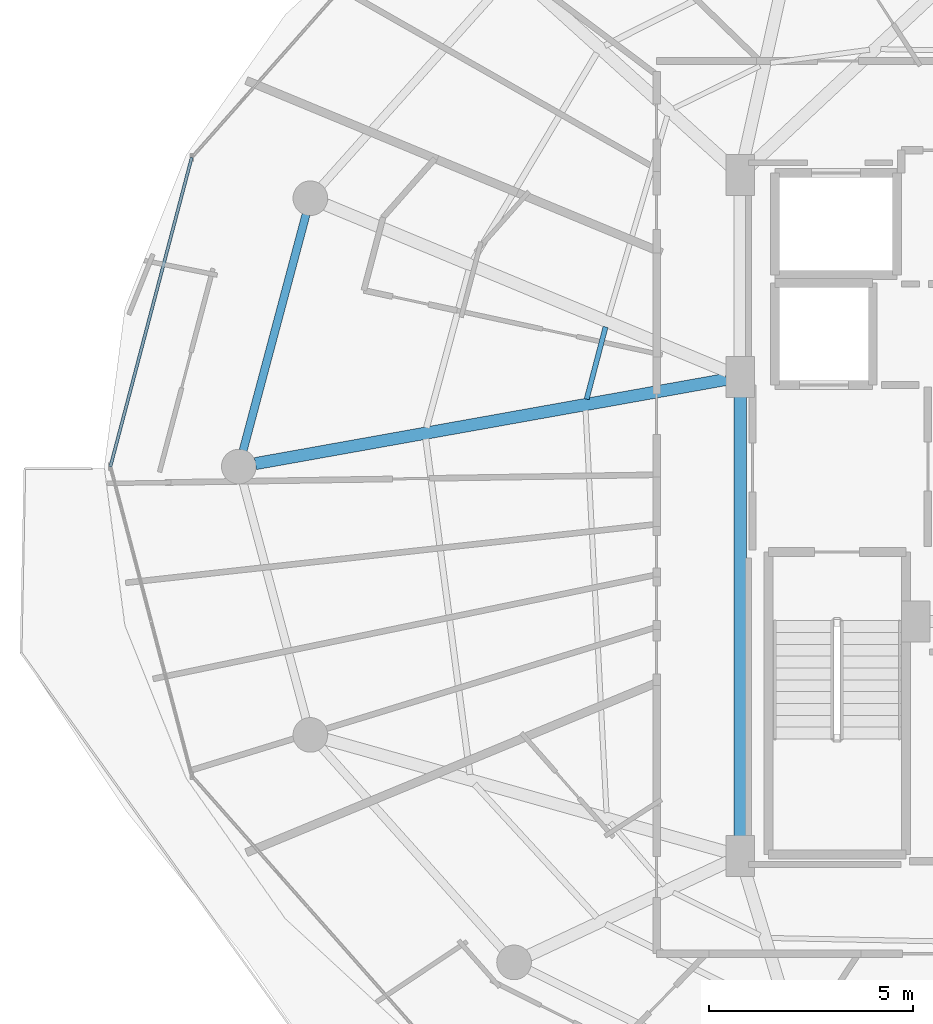
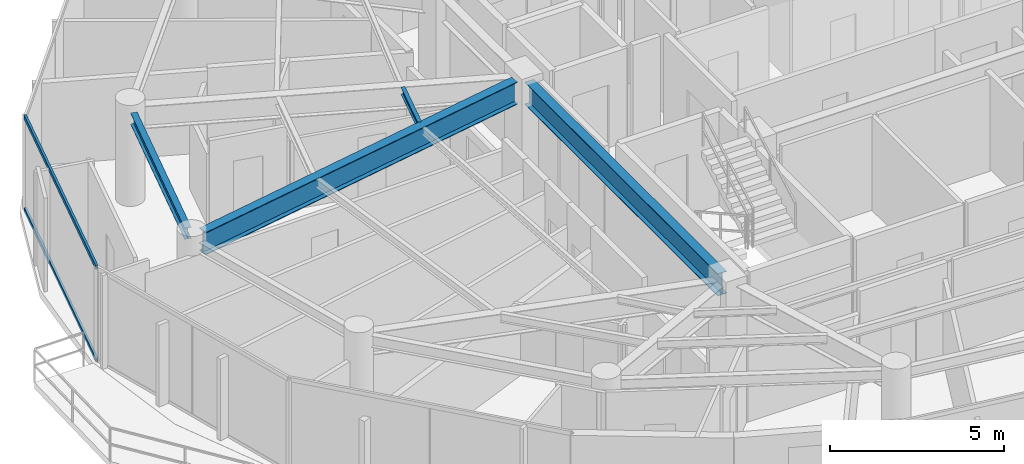
# One storey, part 8 of 31: 4 beams, 2 members, 1 element without a shape of its own.
"""IFC4 building model written with IfcOpenShell, lengths in metres."""

from ifc_helpers import new_model, si_unit, direction, frame, origin, origin_2d, place, context, subcontext, project, spatial, hollow_rectangle, i_section, extrude, material, material_profile, profile_set, type_object, element, aggregate, save


model = new_model("IFC4")

# Units and contexts
model_context = context("Model", 3, precision=1e-05, world=origin(), true_north=direction((0.0, 1.0)))
body_context = subcontext(model_context, "Body", "Model", "MODEL_VIEW")
ifc_project = project(units=[si_unit("LENGTHUNIT", "METRE"), si_unit("AREAUNIT", "SQUARE_METRE"), si_unit("VOLUMEUNIT", "CUBIC_METRE"), si_unit("PLANEANGLEUNIT", "RADIAN"), si_unit("MASSUNIT", "GRAM", prefix="KILO")], contexts=[model_context])

# Site, building, storey
site_placement = place(None, origin())
site = spatial("IfcSite", under=ifc_project, at=site_placement, CompositionType="ELEMENT")
building_placement = place(site_placement, origin())
building = spatial("IfcBuilding", under=site, at=building_placement, Name="Vorneva Point Tower", CompositionType="ELEMENT")
storey_placement = place(building_placement, frame((0.0, 0.0, 244.89990234375)))
storey = spatial("IfcBuildingStorey", under=building, at=storey_placement, Name="L66", CompositionType="ELEMENT", Elevation=244.89990234375)

# Beams
ifc_material_1 = material(Name="Steel S355", Category="steel")
ifc_material_profile_1 = material_profile(ifc_material_1, i_section(OverallWidth=0.300048828125, OverallDepth=0.7880859375, WebThickness=0.014404296875, FlangeThickness=0.02197265625, at=origin_2d()), Name="80Sh1")
ifc_profile_set_1 = profile_set([ifc_material_profile_1], Name="Steel S355")
beam_type_1 = type_object("IfcBeamType", Name="BM-GRD-80Sh1", PredefinedType="USERDEFINED", material=ifc_profile_set_1)
beam_1_placement = place(storey_placement, frame((15.3564453125, 26.07275390625, 2.89599609375), z_axis=(0.9843788355, 0.17606336422, 0.0), x_axis=(-0.17606336422, 0.9843788355, 0.0)))
element("IfcBeam", 1, at=beam_1_placement, inside=storey, type_object=beam_type_1, Name="L66 Radial Primary Girder 09", ObjectType="GIRDER", PredefinedType="USERDEFINED", context=body_context, shape_type="SweptSolid", body=[
    extrude(i_section(OverallWidth=0.300048828125, OverallDepth=0.7880859375, WebThickness=0.014404296875, FlangeThickness=0.02197265625, at=origin_2d()), origin(), (0.0, 0.0, 1.0), 11.7421875),
])
beam_2_placement = place(storey_placement, frame((27.25, 16.77001953125, 2.89599609375), z_axis=(0.0, 1.0, 0.0), x_axis=(-1.0, 0.0, 0.0)))
element("IfcBeam", 2, at=beam_2_placement, inside=storey, type_object=beam_type_1, Name="L66 Core Tie Girder CT1", ObjectType="GIRDER", PredefinedType="USERDEFINED", context=body_context, shape_type="SweptSolid", body=[
    extrude(i_section(OverallWidth=0.300048828125, OverallDepth=0.7880859375, WebThickness=0.014404296875, FlangeThickness=0.02197265625, at=origin_2d()), origin(), (0.0, 0.0, 1.0), 11.10986328125),
])
ifc_material_profile_2 = material_profile(ifc_material_1, i_section(OverallWidth=0.1240234375, OverallDepth=0.248046875, WebThickness=0.0048828125, FlangeThickness=0.008056640625, at=origin_2d()), Name="25B1")
ifc_profile_set_2 = profile_set([ifc_material_profile_2], Name="Steel S355")
beam_type_2 = type_object("IfcBeamType", Name="BM-JST-25B1", PredefinedType="JOIST", material=ifc_profile_set_2)
beam_3_placement = place(storey_placement, frame((23.946044921875, 29.425048828125, 3.166015625), z_axis=(-0.253029664065, -0.967458520611, 0.0), x_axis=(0.967458520611, -0.253029664065, 0.0)))
element("IfcBeam", 3, at=beam_3_placement, inside=storey, type_object=beam_type_2, Name="L66 Secondary Floor Beam 2.08", PredefinedType="JOIST", context=body_context, shape_type="SweptSolid", body=[
    extrude(i_section(OverallWidth=0.1240234375, OverallDepth=0.248046875, WebThickness=0.0048828125, FlangeThickness=0.008056640625, at=origin_2d()), origin(), (0.0, 0.0, 1.0), 1.831298828125),
])
ifc_material_profile_3 = material_profile(ifc_material_1, i_section(OverallWidth=0.198974609375, OverallDepth=0.39599609375, WebThickness=0.007080078125, FlangeThickness=0.010986328125, at=origin_2d()), Name="40B1")
ifc_profile_set_3 = profile_set([ifc_material_profile_3], Name="Steel S355")
beam_type_3 = type_object("IfcBeamType", Name="BM-SPN-40B1", PredefinedType="SPANDREL", material=ifc_profile_set_3)
beam_4_placement = place(storey_placement, frame((16.59912109375, 32.18603515625, 3.092041015625), z_axis=(-0.257586570866, -0.966255224312, 0.0), x_axis=(0.966255224312, -0.257586570866, 0.0)))
element("IfcBeam", 4, at=beam_4_placement, inside=storey, type_object=beam_type_3, Name="L66 Perimeter Spandrel Ring Beam 08", PredefinedType="SPANDREL", context=body_context, shape_type="SweptSolid", body=[
    extrude(i_section(OverallWidth=0.198974609375, OverallDepth=0.39599609375, WebThickness=0.007080078125, FlangeThickness=0.010986328125, at=origin_2d()), origin(), (0.0, 0.0, 1.0), 5.991943359375),
])

# Curtain wall, members
ifc_material_2 = material(Name="Pale anodised aluminium", Category="aluminium")
curtain_wall_type = type_object("IfcCurtainWallType", Name="CW-RES-SYS", PredefinedType="NOTDEFINED", material=ifc_material_2)
curtain_wall_placement = place(storey_placement, origin())
curtain_wall = element("IfcCurtainWall", 5, at=curtain_wall_placement, inside=storey, type_object=curtain_wall_type, Name="L66 Unitised Curtain Wall CW-L66-R03", PredefinedType="NOTDEFINED")
ifc_material_profile_4 = material_profile(ifc_material_2, hollow_rectangle(XDim=0.074951171875, YDim=0.14990234375, WallThickness=0.00390625, at=origin_2d()), Name="AL-TRN 150x75x4")
ifc_profile_set_4 = profile_set([ifc_material_profile_4], Name="Pale anodised aluminium")
member_type = type_object("IfcMemberType", Name="CW-TRN-150", PredefinedType="USERDEFINED", material=ifc_profile_set_4)
member_1_placement = place(storey_placement, frame((13.79443359375, 33.5810546875, 0.02001953125), z_axis=(-0.254418180926, -0.967094302131, 0.0), x_axis=(0.967094302131, -0.254418180926, 0.0)))
member_1 = element("IfcMember", 6, at=member_1_placement, type_object=member_type, Name="CW-L66-R03 Transom 02.1", ObjectType="TRANSOM", PredefinedType="USERDEFINED", context=body_context, shape_type="SweptSolid", body=[
    extrude(hollow_rectangle(XDim=0.074951171875, YDim=0.14990234375, WallThickness=0.00390625, at=origin_2d()), origin(), (0.0, 0.0, 1.0), 7.839111328125),
])
member_2_placement = place(storey_placement, frame((13.79443359375, 33.5810546875, 3.27001953125), z_axis=(-0.254418180926, -0.967094302131, 0.0), x_axis=(0.967094302131, -0.254418180926, 0.0)))
member_2 = element("IfcMember", 7, at=member_2_placement, type_object=member_type, Name="CW-L66-R03 Transom 02.2", ObjectType="TRANSOM", PredefinedType="USERDEFINED", context=body_context, shape_type="SweptSolid", body=[
    extrude(hollow_rectangle(XDim=0.074951171875, YDim=0.14990234375, WallThickness=0.00390625, at=origin_2d()), origin(), (0.0, 0.0, 1.0), 7.839111328125),
])
aggregate(curtain_wall, [member_1, member_2])

save(model, "model.ifc")
